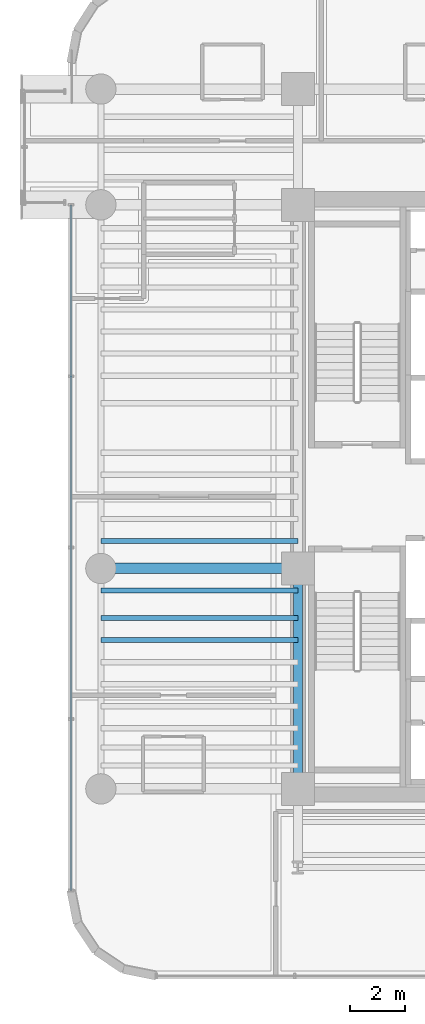
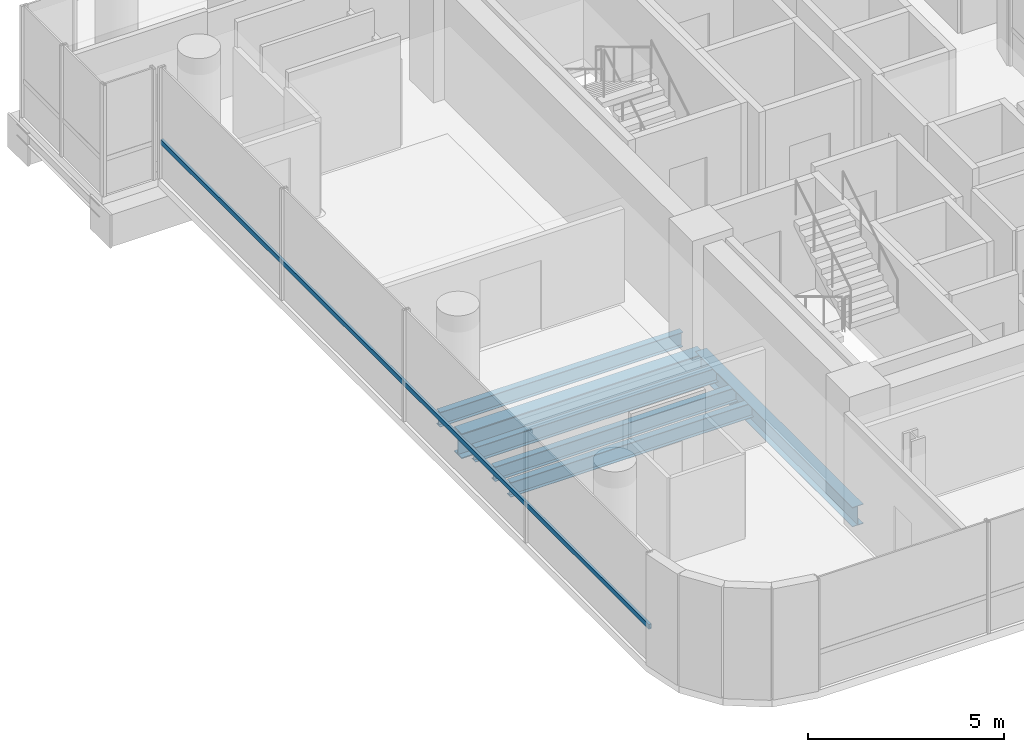
# One storey, part 5 of 33: 6 beams, 1 member, 1 element without a shape of its own.
"""IFC4 building model written with IfcOpenShell, lengths in metres."""

from ifc_helpers import new_model, si_unit, direction, frame, origin, origin_2d, place, context, subcontext, project, spatial, hollow_rectangle, i_section, extrude, source, transform, mapped, material, material_profile, profile_set, type_object, element, aggregate, save


model = new_model("IFC4")

# Units and contexts
model_context = context("Model", 3, precision=1e-05, world=origin(), true_north=direction((0.0, 1.0)))
body_context = subcontext(model_context, "Body", "Model", "MODEL_VIEW")
ifc_project = project(units=[si_unit("LENGTHUNIT", "METRE"), si_unit("AREAUNIT", "SQUARE_METRE"), si_unit("VOLUMEUNIT", "CUBIC_METRE"), si_unit("PLANEANGLEUNIT", "RADIAN"), si_unit("MASSUNIT", "GRAM", prefix="KILO")], contexts=[model_context])

# Site, building, storey
site_placement = place(None, origin())
site = spatial("IfcSite", under=ifc_project, at=site_placement, CompositionType="ELEMENT")
building_placement = place(site_placement, origin())
building = spatial("IfcBuilding", under=site, at=building_placement, Name="Valdorenza Pilgrim Sanctuary Tower", CompositionType="ELEMENT")
storey_placement = place(building_placement, frame((0.0, 0.0, 157.5)))
storey = spatial("IfcBuildingStorey", under=building, at=storey_placement, Name="L40", CompositionType="ELEMENT", Elevation=157.5)

# Beams
ifc_material_1 = material(Name="Steel ASTM A992 Grade 50", Category="steel")
ifc_material_profile_1 = material_profile(ifc_material_1, i_section(OverallWidth=0.323974609375, OverallDepth=0.611083984375, WebThickness=0.0126953125, FlangeThickness=0.01904296875, at=origin_2d()), Name="W24X104")
ifc_profile_set_1 = profile_set([ifc_material_profile_1], Name="Steel ASTM A992 Grade 50")
beam_type_1 = type_object("IfcBeamType", Name="STR-BM-GRD-W24B", PredefinedType="BEAM", material=ifc_profile_set_1)
shared_shape_1 = source(origin(), body_context, "Body", "SweptSolid", [
    extrude(i_section(OverallWidth=0.323974609375, OverallDepth=0.611083984375, WebThickness=0.0126953125, FlangeThickness=0.01904296875, at=origin_2d()), origin(), (0.0, 0.0, 1.0), 8.0),
])
beam_1_placement = place(storey_placement, frame((-22.64990234375, -10.60009765625, -0.54541015625), z_axis=(0.0, 1.0, 0.0), x_axis=(-1.0, 0.0, 0.0)))
element("IfcBeam", 1, at=beam_1_placement, inside=storey, type_object=beam_type_1, Name="L40 Core Tie Girder CA-W-S1M0", PredefinedType="BEAM", context=body_context, shape_type="MappedRepresentation", body=[
    mapped(shared_shape_1, transform((0.0, 0.0, 0.0), x_axis=(1.0, 0.0, 0.0), y_axis=(0.0, 1.0, 0.0), z_axis=(0.0, 0.0, 1.0), scale=1.0)),
])
ifc_material_profile_2 = material_profile(ifc_material_1, i_section(OverallWidth=0.382080078125, OverallDepth=0.779052734375, WebThickness=0.01806640625, FlangeThickness=0.030029296875, at=origin_2d()), Name="W30X191")
ifc_profile_set_2 = profile_set([ifc_material_profile_2], Name="Steel ASTM A992 Grade 50")
beam_type_2 = type_object("IfcBeamType", Name="STR-BM-GRD-W30", PredefinedType="BEAM", material=ifc_profile_set_2)
shared_shape_2 = source(origin(), body_context, "Body", "SweptSolid", [
    extrude(i_section(OverallWidth=0.382080078125, OverallDepth=0.779052734375, WebThickness=0.01806640625, FlangeThickness=0.030029296875, at=origin_2d()), origin(), (0.0, 0.0, 1.0), 7.150146484375),
])
beam_2_placement = place(storey_placement, frame((-29.800048828125, -2.60009765625, -0.62939453125), z_axis=(1.0, 0.0, 0.0), x_axis=(0.0, 1.0, 0.0)))
element("IfcBeam", 2, at=beam_2_placement, inside=storey, type_object=beam_type_2, Name="L40 Floor Girder WA-XW-M0", PredefinedType="BEAM", context=body_context, shape_type="MappedRepresentation", body=[
    mapped(shared_shape_2, transform((0.0, 0.0, 0.0), x_axis=(1.0, 0.0, 0.0), y_axis=(0.0, 1.0, 0.0), z_axis=(0.0, 0.0, 1.0), scale=1.0)),
])
ifc_material_profile_3 = material_profile(ifc_material_1, i_section(OverallWidth=0.19091796875, OverallDepth=0.45703125, WebThickness=0.009033203125, FlangeThickness=0.014404296875, at=origin_2d()), Name="W18X50")
ifc_profile_set_3 = profile_set([ifc_material_profile_3], Name="Steel ASTM A992 Grade 50")
beam_type_3 = type_object("IfcBeamType", Name="STR-BM-JST-W18B", PredefinedType="JOIST", material=ifc_profile_set_3)
shared_shape_3 = source(origin(), body_context, "Body", "SweptSolid", [
    extrude(i_section(OverallWidth=0.19091796875, OverallDepth=0.45703125, WebThickness=0.009033203125, FlangeThickness=0.014404296875, at=origin_2d()), origin(), (0.0, 0.0, 1.0), 7.150146484375),
])
for number, where, z_axis, x_axis, name in (
    (3, (-29.800048828125, -5.199951171875, -0.468505859375), (1.0, 0.0, 0.0), (0.0, 1.0, 0.0), "L40 Composite Floor Joist JST-WA-7"),
    (4, (-29.800048828125, -4.39990234375, -0.468505859375), (1.0, 0.0, 0.0), (0.0, 1.0, 0.0), "L40 Composite Floor Joist JST-WA-8"),
    (5, (-29.800048828125, -3.39990234375, -0.468505859375), (1.0, 0.0, 0.0), (0.0, 1.0, 0.0), "L40 Composite Floor Joist JST-WA-9"),
    (6, (-29.800048828125, -1.60009765625, -0.468505859375), (1.0, 0.0, 0.0), (0.0, 1.0, 0.0), "L40 Composite Floor Joist JST-WA-10"),
):
    element("IfcBeam", number, at=place(storey_placement, frame(where, z_axis=z_axis, x_axis=x_axis)), inside=storey, type_object=beam_type_3, Name=name, PredefinedType="JOIST", context=body_context, shape_type="MappedRepresentation", body=[
        mapped(shared_shape_3, transform((0.0, 0.0, 0.0), x_axis=(1.0, 0.0, 0.0), y_axis=(0.0, 1.0, 0.0), z_axis=(0.0, 0.0, 1.0), scale=1.0)),
    ])

# Curtain wall, member
ifc_material_2 = material(Name="Curtain-wall IGU glazing", Category="glass")
curtain_wall_type = type_object("IfcCurtainWallType", Name="CW-SYS-02", PredefinedType="NOTDEFINED", material=ifc_material_2)
curtain_wall_placement = place(storey_placement, origin())
curtain_wall = element("IfcCurtainWall", 7, at=curtain_wall_placement, inside=storey, type_object=curtain_wall_type, Name="L40 Curtain Wall CW-L40-1-1S1", PredefinedType="NOTDEFINED")
ifc_material_3 = material(Name="Anodised aluminium AW-6060", Category="aluminium")
ifc_material_profile_4 = material_profile(ifc_material_3, hollow_rectangle(XDim=0.074951171875, YDim=0.14990234375, WallThickness=0.00390625, at=origin_2d()), Name="ALU-T 150x75x4")
ifc_profile_set_4 = profile_set([ifc_material_profile_4], Name="Anodised aluminium AW-6060")
member_type = type_object("IfcMemberType", Name="CW-TRN-02", PredefinedType="USERDEFINED", material=ifc_profile_set_4)
shared_shape_4 = source(origin(), body_context, "Body", "SweptSolid", [
    extrude(hollow_rectangle(XDim=0.074951171875, YDim=0.14990234375, WallThickness=0.00390625, at=origin_2d()), origin(), (0.0, 0.0, 1.0), 24.889404296875),
])
member_placement = place(storey_placement, frame((-30.889892578125, -14.289306640625, 1.1201171875), z_axis=(0.0, 1.0, 0.0), x_axis=(-1.0, 0.0, 0.0)))
member = element("IfcMember", 8, at=member_placement, type_object=member_type, Name="CW-L40-1-1S1 Transom 1", ObjectType="TRANSOM", PredefinedType="USERDEFINED", context=body_context, shape_type="MappedRepresentation", body=[
    mapped(shared_shape_4, transform((0.0, 0.0, 0.0), x_axis=(1.0, 0.0, 0.0), y_axis=(0.0, 1.0, 0.0), z_axis=(0.0, 0.0, 1.0), scale=1.0)),
])
aggregate(curtain_wall, [member])

save(model, "model.ifc")
